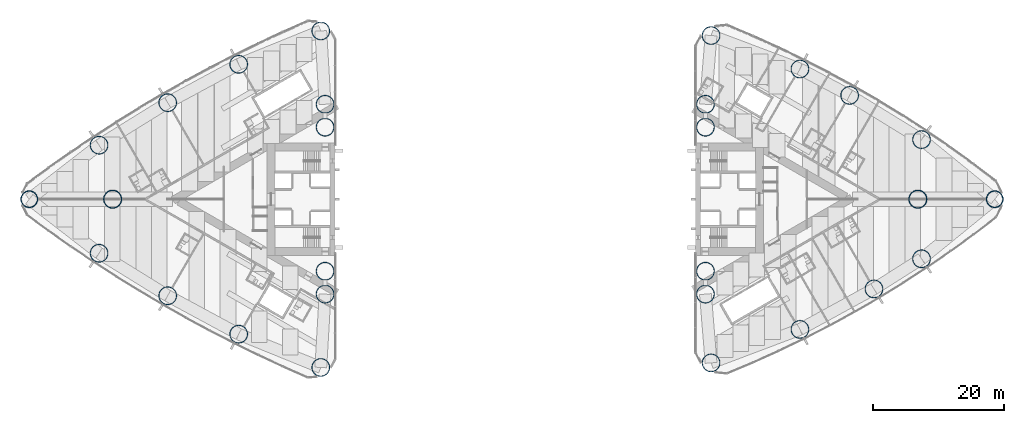
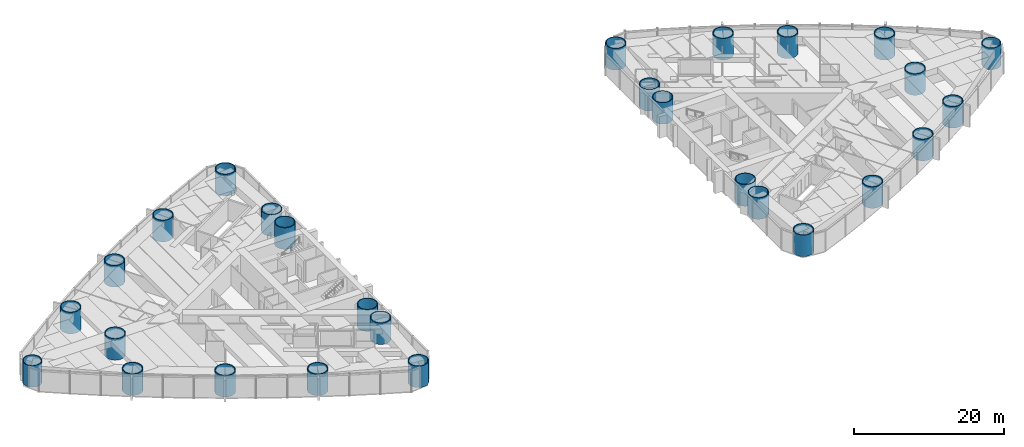
# One storey, part 1 of 19: 28 columns.
"""IFC4 building model written with IfcOpenShell, lengths in metres."""

from ifc_helpers import new_model, si_unit, direction, frame, origin, origin_2d, place, context, subcontext, project, spatial, hollow_circle, extrude, material, material_profile, profile_set, type_object, element, save


model = new_model("IFC4")

# Units and contexts
model_context = context("Model", 3, precision=1e-05, world=origin(), true_north=direction((0.0, 1.0)))
body_context = subcontext(model_context, "Body", "Model", "MODEL_VIEW")
ifc_project = project(units=[si_unit("LENGTHUNIT", "METRE"), si_unit("AREAUNIT", "SQUARE_METRE"), si_unit("VOLUMEUNIT", "CUBIC_METRE"), si_unit("PLANEANGLEUNIT", "RADIAN"), si_unit("MASSUNIT", "GRAM", prefix="KILO")], contexts=[model_context])

# Site, building, storey
site_placement = place(None, origin())
site = spatial("IfcSite", under=ifc_project, at=site_placement, CompositionType="ELEMENT")
building_placement = place(site_placement, origin())
building = spatial("IfcBuilding", under=site, at=building_placement, Name="Lancet Gate Hotel", CompositionType="ELEMENT")
storey_placement = place(building_placement, frame((0.0, 0.0, 35.5)))
storey = spatial("IfcBuildingStorey", under=building, at=storey_placement, Name="L08", CompositionType="ELEMENT", Elevation=35.5)

# Columns
ifc_material_1 = material(Name="Composite filled tube, grade 460 plate, grade 80/95 fill", Category="composite")
ifc_material_profile_1 = material_profile(ifc_material_1, hollow_circle(Radius=1.39990234375, WallThickness=0.10009765625, at=origin_2d()), Name="CHS 2800x100")
ifc_profile_set_1 = profile_set([ifc_material_profile_1], Name="Composite filled tube, grade 460 plate, grade 80/95 fill")
column_type_1 = type_object("IfcColumnType", Name="Apex column CFT CHS 2800x100", PredefinedType="COLUMN", material=ifc_profile_set_1)
for number, where, z_axis, x_axis, name in (
    (1, (-61.5, 0.0, 0.0), (0.0, 0.0, 1.0), (1.0, 0.0, 0.0), "T1 column AX L08"),
    (2, (61.5, 0.0, 0.0), (0.0, 0.0, 1.0), (1.0, 0.0, 0.0), "T2 column AX L08"),
):
    element("IfcColumn", number, at=place(storey_placement, frame(where, z_axis=z_axis, x_axis=x_axis)), inside=storey, type_object=column_type_1, Name=name, PredefinedType="COLUMN", context=body_context, shape_type="SweptSolid", body=[
        extrude(hollow_circle(Radius=1.39990234375, WallThickness=0.10009765625, at=origin_2d()), origin(), (0.0, 0.0, 1.0), 3.5),
    ])
ifc_material_2 = material(Name="Composite filled tube, grade 460 plate, grade 80/95 fill", Category="composite")
ifc_material_profile_2 = material_profile(ifc_material_2, hollow_circle(Radius=1.300048828125, WallThickness=0.10009765625, at=origin_2d()), Name="CHS 2600x100")
ifc_profile_set_2 = profile_set([ifc_material_profile_2], Name="Composite filled tube, grade 460 plate, grade 80/95 fill")
column_type_2 = type_object("IfcColumnType", Name="Apex corner column CFT CHS 2600x100", PredefinedType="COLUMN", material=ifc_profile_set_2)
for number, where, z_axis, x_axis, name in (
    (3, (-74.235107421875, 0.0, 0.0), (0.0, 0.0, 1.0), (1.0, 0.0, 0.0), "T1 column CA L08"),
    (4, (73.2392578125, 0.0, 0.0), (0.0, 0.0, 1.0), (1.0, 0.0, 0.0), "T2 column CA L08"),
):
    element("IfcColumn", number, at=place(storey_placement, frame(where, z_axis=z_axis, x_axis=x_axis)), inside=storey, type_object=column_type_2, Name=name, PredefinedType="COLUMN", context=body_context, shape_type="SweptSolid", body=[
        extrude(hollow_circle(Radius=1.300048828125, WallThickness=0.10009765625, at=origin_2d()), origin(), (0.0, 0.0, 1.0), 3.5),
    ])
ifc_material_3 = material(Name="Composite filled tube, grade 460 plate, grade 80/95 fill", Category="composite")
ifc_material_profile_3 = material_profile(ifc_material_3, hollow_circle(Radius=1.39990234375, WallThickness=0.1201171875, at=origin_2d()), Name="CHS 2800x120")
ifc_profile_set_3 = profile_set([ifc_material_profile_3], Name="Composite filled tube, grade 460 plate, grade 80/95 fill")
column_type_3 = type_object("IfcColumnType", Name="Perimeter column CFT CHS 2800x120", PredefinedType="COLUMN", material=ifc_profile_set_3)
for number, where, z_axis, x_axis, name in (
    (5, (-29.703369140625, -25.70263671875, 0.0), (0.0, 0.0, 1.0), (1.0, 0.0, 0.0), "T1 column CN L08"),
    (6, (-29.703369140625, 25.70263671875, 0.0), (0.0, 0.0, 1.0), (1.0, 0.0, 0.0), "T1 column CS L08"),
    (7, (-29.050048828125, -11.0, 0.0), (0.0, 0.0, 1.0), (1.0, 0.0, 0.0), "T1 column IN L08"),
    (8, (-29.050048828125, 11.0, 0.0), (0.0, 0.0, 1.0), (1.0, 0.0, 0.0), "T1 column IS L08"),
    (9, (-29.050048828125, 14.5, 0.0), (0.0, 0.0, 1.0), (1.0, 0.0, 0.0), "T1 column IT L08"),
    (10, (-29.050048828125, -14.5, 0.0), (0.0, 0.0, 1.0), (1.0, 0.0, 0.0), "T1 column JT L08"),
    (11, (-63.57177734375, -8.255126953125, 0.0), (0.0, 0.0, 1.0), (1.0, 0.0, 0.0), "T1 column ON1 L08"),
    (12, (-53.090087890625, -14.744873046875, 0.0), (0.0, 0.0, 1.0), (1.0, 0.0, 0.0), "T1 column ON2 L08"),
    (13, (-42.2451171875, -20.607421875, 0.0), (0.0, 0.0, 1.0), (1.0, 0.0, 0.0), "T1 column ON3 L08"),
    (14, (-42.2451171875, 20.607421875, 0.0), (0.0, 0.0, 1.0), (1.0, 0.0, 0.0), "T1 column OS1 L08"),
    (15, (-53.090087890625, 14.744873046875, 0.0), (0.0, 0.0, 1.0), (1.0, 0.0, 0.0), "T1 column OS2 L08"),
    (16, (-63.57177734375, 8.255126953125, 0.0), (0.0, 0.0, 1.0), (1.0, 0.0, 0.0), "T1 column OS3 L08"),
    (17, (29.9111328125, 25.00244140625, 0.0), (0.0, 0.0, 1.0), (1.0, 0.0, 0.0), "T2 column CN L08"),
    (18, (29.9111328125, -25.00244140625, 0.0), (0.0, 0.0, 1.0), (1.0, 0.0, 0.0), "T2 column CS L08"),
    (19, (29.050048828125, 11.0, 0.0), (0.0, 0.0, 1.0), (1.0, 0.0, 0.0), "T2 column IN L08"),
    (20, (29.050048828125, -11.0, 0.0), (0.0, 0.0, 1.0), (1.0, 0.0, 0.0), "T2 column IS L08"),
    (21, (29.050048828125, -14.5, 0.0), (0.0, 0.0, 1.0), (1.0, 0.0, 0.0), "T2 column IT L08"),
    (22, (29.050048828125, 14.5, 0.0), (0.0, 0.0, 1.0), (1.0, 0.0, 0.0), "T2 column JT L08"),
    (23, (62.059326171875, 9.10498046875, 0.0), (0.0, 0.0, 1.0), (1.0, 0.0, 0.0), "T2 column ON1 L08"),
    (24, (51.07763671875, 15.8583984375, 0.0), (0.0, 0.0, 1.0), (1.0, 0.0, 0.0), "T2 column ON2 L08"),
    (25, (43.484130859375, 19.886474609375, 0.0), (0.0, 0.0, 1.0), (1.0, 0.0, 0.0), "T2 column ON3 L08"),
    (26, (43.484130859375, -19.886474609375, 0.0), (0.0, 0.0, 1.0), (1.0, 0.0, 0.0), "T2 column OS1 L08"),
    (27, (54.795166015625, -13.70068359375, 0.0), (0.0, 0.0, 1.0), (1.0, 0.0, 0.0), "T2 column OS2 L08"),
    (28, (62.059326171875, -9.10498046875, 0.0), (0.0, 0.0, 1.0), (1.0, 0.0, 0.0), "T2 column OS3 L08"),
):
    element("IfcColumn", number, at=place(storey_placement, frame(where, z_axis=z_axis, x_axis=x_axis)), inside=storey, type_object=column_type_3, Name=name, PredefinedType="COLUMN", context=body_context, shape_type="SweptSolid", body=[
        extrude(hollow_circle(Radius=1.39990234375, WallThickness=0.1201171875, at=origin_2d()), origin(), (0.0, 0.0, 1.0), 3.5),
    ])

save(model, "model.ifc")
